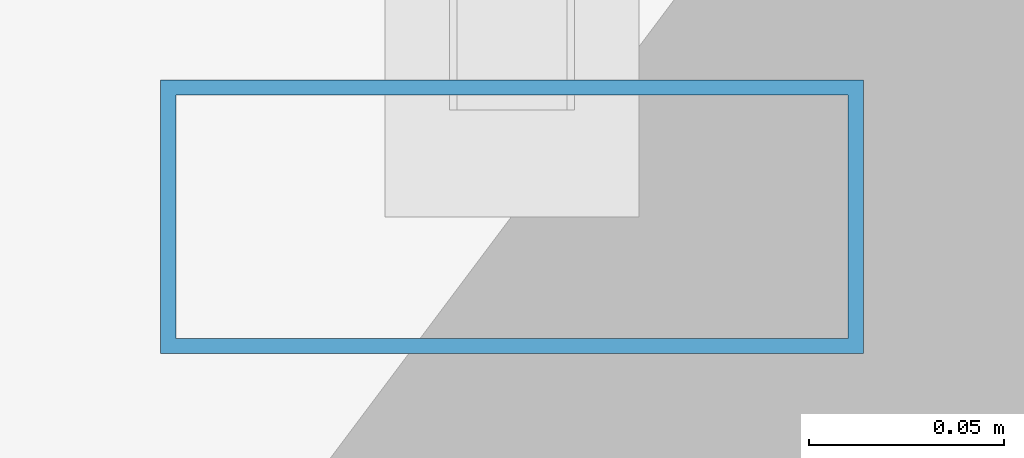
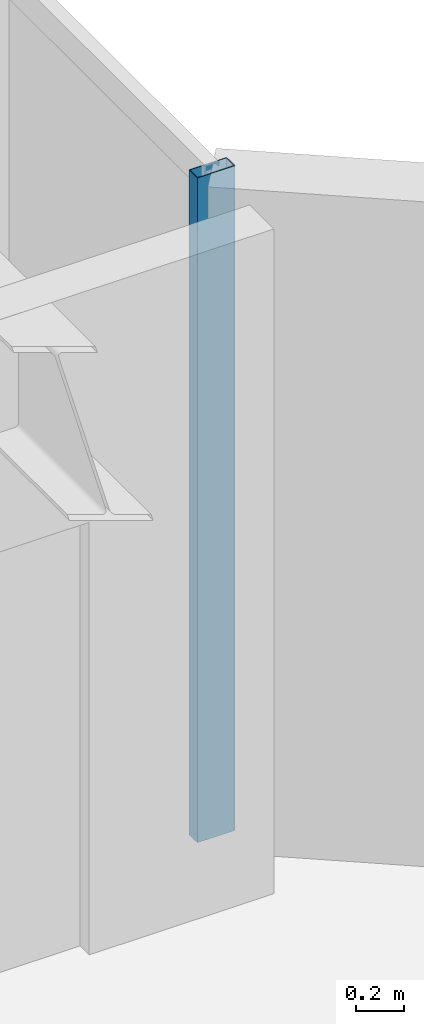
# One storey, part 10 of 26: 1 member, 1 element without a shape of its own.
"""IFC4 building model written with IfcOpenShell, lengths in metres."""

from ifc_helpers import new_model, si_unit, direction, frame, origin, origin_2d, place, context, subcontext, project, spatial, hollow_rectangle, extrude, material, layer, layer_set, material_profile, profile_set, type_object, element, aggregate, save


model = new_model("IFC4")

# Units and contexts
model_context = context("Model", 3, precision=1e-05, world=origin(), true_north=direction((0.0, 1.0)))
body_context = subcontext(model_context, "Body", "Model", "MODEL_VIEW")
ifc_project = project(units=[si_unit("LENGTHUNIT", "METRE"), si_unit("AREAUNIT", "SQUARE_METRE"), si_unit("VOLUMEUNIT", "CUBIC_METRE"), si_unit("PLANEANGLEUNIT", "RADIAN"), si_unit("MASSUNIT", "GRAM", prefix="KILO")], contexts=[model_context])

# Site, building, storey
site_placement = place(None, origin())
site = spatial("IfcSite", under=ifc_project, at=site_placement, CompositionType="ELEMENT")
building_placement = place(site_placement, origin())
building = spatial("IfcBuilding", under=site, at=building_placement, Name="Hatsunagi Terrace Concourse", CompositionType="ELEMENT")
storey_placement = place(building_placement, frame((0.0, 0.0, 198.75)))
storey = spatial("IfcBuildingStorey", under=building, at=storey_placement, Name="L52", CompositionType="ELEMENT", Elevation=198.75)

# Curtain wall, member
ifc_material_1 = material(Name="Anodised Aluminium Alloy 6063-T5", Category="aluminium")
ifc_layer = layer(ifc_material_1, 0.199951171875)
ifc_layer_set = layer_set([ifc_layer], Name="OfficeZone2_CW04")
curtain_wall_type = type_object("IfcCurtainWallType", Name="OfficeZone2_CW04", PredefinedType="NOTDEFINED", material=ifc_layer_set)
curtain_wall_placement = place(storey_placement, origin())
curtain_wall = element("IfcCurtainWall", 1, at=curtain_wall_placement, inside=storey, type_object=curtain_wall_type, Name="Unitised Curtain Wall CW-04 CW-L52-12", PredefinedType="NOTDEFINED")
ifc_material_2 = material(Name="Anodised Aluminium Alloy 6063-T5", Category="aluminium")
ifc_material_profile = material_profile(ifc_material_2, hollow_rectangle(XDim=0.070068359375, YDim=0.179931640625, WallThickness=0.00390625, at=origin_2d()), Name="ALU-MUL-180x70x4")
ifc_profile_set = profile_set([ifc_material_profile], Name="Anodised Aluminium Alloy 6063-T5")
member_type = type_object("IfcMemberType", Name="CurtainWallMullion_180x70", PredefinedType="MULLION", material=ifc_profile_set)
member_placement = place(storey_placement, frame((44.860107421875, 40.72998046875, 0.0), z_axis=(0.0, 0.0, 1.0), x_axis=(0.0, -1.0, 0.0)))
member = element("IfcMember", 2, at=member_placement, type_object=member_type, Name="Curtain Wall Mullion MUL-02", PredefinedType="MULLION", context=body_context, shape_type="SweptSolid", body=[
    extrude(hollow_rectangle(XDim=0.070068359375, YDim=0.179931640625, WallThickness=0.00390625, at=origin_2d()), origin(), (0.0, 0.0, 1.0), 3.35009765625),
])
aggregate(curtain_wall, [member])

save(model, "model.ifc")
